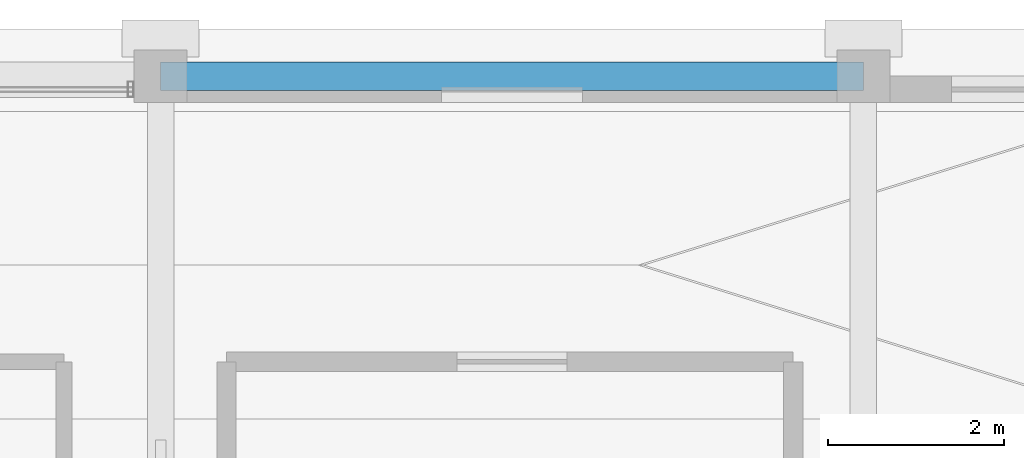
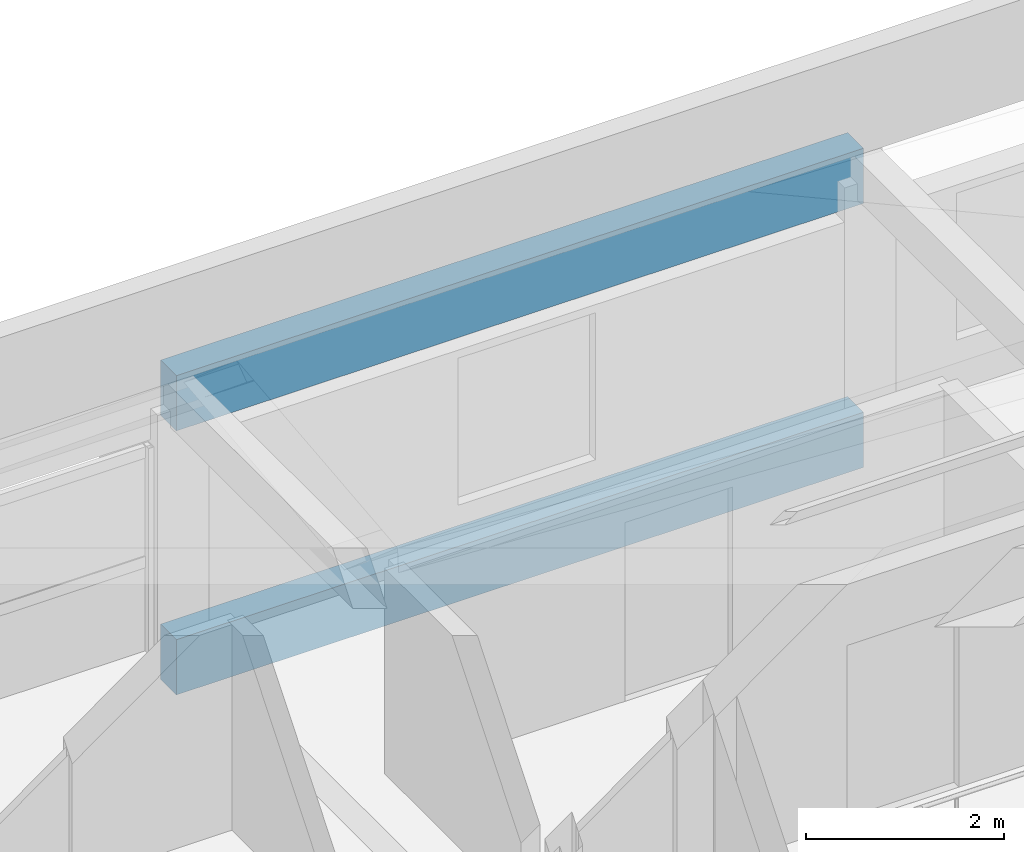
# One storey, part 24 of 39: 2 beams.
"""IFC4 building model written with IfcOpenShell, lengths in metres."""

from ifc_helpers import new_model, si_unit, direction, frame, origin, origin_2d, place, context, subcontext, project, spatial, rectangle, extrude, material, material_profile, profile_set, type_object, element, save


model = new_model("IFC4")

# Units and contexts
model_context = context("Model", 3, precision=1e-05, world=origin(), true_north=direction((0.0, 1.0)))
body_context = subcontext(model_context, "Body", "Model", "MODEL_VIEW")
ifc_project = project(units=[si_unit("LENGTHUNIT", "METRE"), si_unit("AREAUNIT", "SQUARE_METRE"), si_unit("VOLUMEUNIT", "CUBIC_METRE"), si_unit("PLANEANGLEUNIT", "RADIAN"), si_unit("MASSUNIT", "GRAM", prefix="KILO")], contexts=[model_context])

# Site, building, storey
site_placement = place(None, origin())
site = spatial("IfcSite", under=ifc_project, at=site_placement, CompositionType="ELEMENT")
building_placement = place(site_placement, origin())
building = spatial("IfcBuilding", under=site, at=building_placement, Name="Akrevak Sports Hall", CompositionType="ELEMENT")
storey_placement = place(building_placement, frame((0.0, 0.0, 66.550048828125)))
storey = spatial("IfcBuildingStorey", under=building, at=storey_placement, Name="L17", CompositionType="ELEMENT", Elevation=66.550048828125)

# Beams
ifc_material = material(Name="Concrete C40/50", Category="concrete")
ifc_material_profile = material_profile(ifc_material, rectangle(XDim=0.320068359375, YDim=0.679931640625, at=origin_2d()), Name="SPD 320x680", Category="concrete")
ifc_profile_set = profile_set([ifc_material_profile], Name="Concrete C40/50")
beam_type = type_object("IfcBeamType", Name="STR-SPD-RC320x680", PredefinedType="SPANDREL", material=ifc_profile_set)
for number, where, z_axis, x_axis, name in (
    (1, (92.0, 69.60009765625, -0.340087890625), (1.0, 0.0, 0.0), (0.0, 1.0, 0.0), "Girder K/13-14 (L17)"),
    (2, (92.0, 69.60009765625, 2.909912109375), (1.0, 0.0, 0.0), (0.0, 1.0, 0.0), "Girder K/13-14 (ROOF)"),
):
    element("IfcBeam", number, at=place(storey_placement, frame(where, z_axis=z_axis, x_axis=x_axis)), inside=storey, type_object=beam_type, Name=name, PredefinedType="SPANDREL", context=body_context, shape_type="SweptSolid", body=[
        extrude(rectangle(XDim=0.320068359375, YDim=0.679931640625, at=origin_2d()), origin(), (0.0, 0.0, 1.0), 8.0),
    ])

save(model, "model.ifc")
